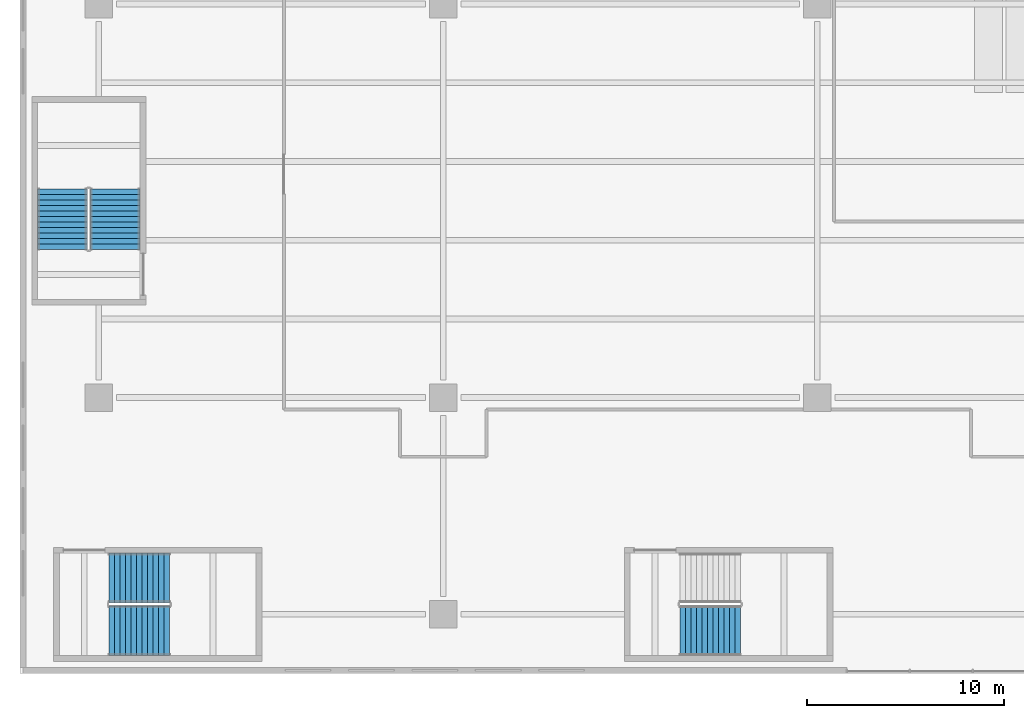
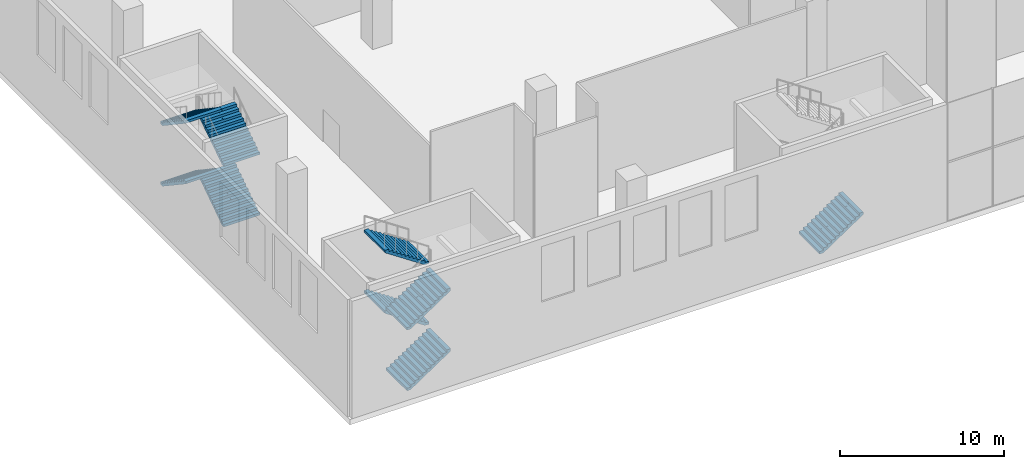
# One storey, part 13 of 27: 9 stair flights, 3 elements without a shape of their own.
"""IFC4 building model written with IfcOpenShell, lengths in metres."""

import ifcopenshell
import ifcopenshell.guid

model = None  # the IFC model being written
_history = None  # IfcOwnerHistory: only IFC2X3 demands one
_inside = {}  # id of a spatial element -> (the spatial element, [elements in it])
_under = {}  # id of a project, library or spatial element -> (it, [spatial elements below it])
_declared = {}  # id of a project -> (the project, [libraries it declares])
_typed = {}  # id of a type object -> (the type object, [elements of that type])
_made_of = {}  # id of a material, layer set ... -> (it, [elements and type objects made of it])


def new_model(schema):
    """Start an empty IFC model of exactly this schema.

    Asked for "IFC4X3", IfcOpenShell would pick the latest addendum, in which some entities
    have other attributes; the version numbers below select the first issue.
    IFC2X3 requires an IfcOwnerHistory on every rooted entity: one is made here for all.
    """
    global model, _history
    if schema == "IFC4X3":
        model = ifcopenshell.file(schema_version=(4, 3, 0, 0))
    else:
        model = ifcopenshell.file(schema=schema)
    _inside.clear()
    _under.clear()
    _declared.clear()
    _typed.clear()
    _made_of.clear()
    _history = None
    if model.schema == "IFC2X3":
        org = make("IfcOrganization", Name="unknown")
        user = make(
            "IfcPersonAndOrganization",
            ThePerson=make("IfcPerson", FamilyName="unknown"),
            TheOrganization=org,
        )
        app = make(
            "IfcApplication",
            ApplicationDeveloper=org,
            Version="unknown",
            ApplicationFullName="unknown",
            ApplicationIdentifier="unknown",
        )
        _history = make(
            "IfcOwnerHistory",
            OwningUser=user,
            OwningApplication=app,
            ChangeAction="ADDED",
            CreationDate=0,
        )
    return model


def make(cls, **values):
    """One entity of the class cls with the attributes given. An attribute that is None is left unset."""
    return model.create_entity(
        cls, **{name: value for name, value in values.items() if value is not None}
    )


def rooted(cls, **values):
    """An entity with a GlobalId (a new one), such as an element, a storey or a relation."""
    return make(cls, GlobalId=ifcopenshell.guid.new(), OwnerHistory=_history, **values)


def si_unit(unit_type, name, prefix=None):
    """IfcSIUnit, for example si_unit("LENGTHUNIT", "METRE", prefix="MILLI")."""
    return make("IfcSIUnit", UnitType=unit_type, Prefix=prefix, Name=name)


def assignment(units):
    """IfcUnitAssignment: the units of a project."""
    return None if units is None else make("IfcUnitAssignment", Units=units)


def point(xyz):
    """IfcCartesianPoint."""
    return None if xyz is None else make("IfcCartesianPoint", Coordinates=xyz)


def direction(xyz):
    """IfcDirection."""
    return None if xyz is None else make("IfcDirection", DirectionRatios=xyz)


def frame(location, z_axis=None, x_axis=None):
    """IfcAxis2Placement3D, a coordinate frame: its origin and axes. An axis left out is left unset."""
    return make(
        "IfcAxis2Placement3D",
        Location=point(location),
        Axis=direction(z_axis),
        RefDirection=direction(x_axis),
    )


def origin():
    """The frame at (0, 0, 0) with its axes left unset."""
    return frame((0.0, 0.0, 0.0))


def place(relative_to, where):
    """IfcLocalPlacement: puts the frame where relative to a parent placement (None: the world)."""
    return make(
        "IfcLocalPlacement", PlacementRelTo=relative_to, RelativePlacement=where
    )


def context(
    kind, dimensions, precision=None, world=None, true_north=None, identifier=None
):
    """IfcGeometricRepresentationContext, for example the 3D "Model" context."""
    return make(
        "IfcGeometricRepresentationContext",
        ContextIdentifier=identifier,
        ContextType=kind,
        CoordinateSpaceDimension=dimensions,
        Precision=precision,
        WorldCoordinateSystem=world,
        TrueNorth=true_north,
    )


def subcontext(parent, identifier, kind, view, scale=None):
    """IfcGeometricRepresentationSubContext, for example "Body" below "Model"."""
    return make(
        "IfcGeometricRepresentationSubContext",
        ContextIdentifier=identifier,
        ContextType=kind,
        ParentContext=parent,
        TargetScale=scale,
        TargetView=view,
    )


def project(units=None, contexts=None):
    """IfcProject with its units and contexts."""
    return rooted(
        "IfcProject",
        Name="project",
        RepresentationContexts=contexts,
        UnitsInContext=assignment(units),
    )


def spatial(cls, under=None, at=None, **own):
    """A site, building, storey or space (cls), placed at a placement, below another one or the project."""
    s = rooted(cls, ObjectPlacement=at, **own)
    if under is not None:
        _under.setdefault(under.id(), (under, []))[1].append(s)
    return s


def polyline(points):
    """IfcPolyline through the points."""
    return make("IfcPolyline", Points=[point(p) for p in points])


def outline(outer, holes=None, kind="AREA"):
    """IfcArbitraryClosedProfileDef: a profile drawn as a closed curve; with holes, ...WithVoids."""
    if holes is None:
        return make("IfcArbitraryClosedProfileDef", ProfileType=kind, OuterCurve=outer)
    return make(
        "IfcArbitraryProfileDefWithVoids",
        ProfileType=kind,
        OuterCurve=outer,
        InnerCurves=holes,
    )


def extrude(swept, where, along, depth):
    """IfcExtrudedAreaSolid: the profile swept, set in the frame where, extruded along a direction by depth."""
    return make(
        "IfcExtrudedAreaSolid",
        SweptArea=swept,
        Position=where,
        ExtrudedDirection=direction(along),
        Depth=depth,
    )


def shape(context_of_items, identifier, shape_type, items):
    """IfcShapeRepresentation: the items that make up one representation, for example the "Body"."""
    return make(
        "IfcShapeRepresentation",
        ContextOfItems=context_of_items,
        RepresentationIdentifier=identifier,
        RepresentationType=shape_type,
        Items=items,
    )


def material(Name=None, Category=None):
    """IfcMaterial."""
    return make("IfcMaterial", Name=Name, Category=Category)


def made_of(thing, what):
    """Note that an element or type object is made of a material, layer set ...; save() writes the relation."""
    if what is not None:
        _made_of.setdefault(what.id(), (what, []))[1].append(thing)
    return thing


def type_object(cls, material=None, **own):
    """A type object (cls), such as IfcWallType, which elements share."""
    return made_of(rooted(cls, **own), material)


def element(
    cls,
    number,
    at=None,
    inside=None,
    cuts=None,
    type_object=None,
    material=None,
    context=None,
    identifier="Body",
    shape_type=None,
    held_by="IfcProductDefinitionShape",
    body=None,
    shapes=None,
    **own,
):
    """One element of the class cls, such as IfcWall. Its Tag is "e" and its number.

    at: its placement. inside: the storey or other place that contains it. cuts: it is an
    opening in that element (IfcRelVoidsElement). A single representation is given by context,
    identifier, shape_type and body (its items); several are given by shapes. held_by: the class
    of the entity that holds the representations. save() writes the other relations.
    """
    e = rooted(cls, Tag="e%d" % number, ObjectPlacement=at, **own)
    if body is not None:
        shapes = [shape(context, identifier, shape_type, body)]
    if shapes is not None:
        e.Representation = make(held_by, Representations=shapes)
    if inside is not None:
        _inside.setdefault(inside.id(), (inside, []))[1].append(e)
    if cuts is not None:
        rooted(
            "IfcRelVoidsElement", RelatingBuildingElement=cuts, RelatedOpeningElement=e
        )
    if type_object is not None:
        _typed.setdefault(type_object.id(), (type_object, []))[1].append(e)
    return made_of(e, material)


def aggregate(whole, parts):
    """IfcRelAggregates: a whole, such as a stair, and the parts it consists of."""
    return rooted("IfcRelAggregates", RelatingObject=whole, RelatedObjects=parts)


def save(model, path):
    """Write the relations noted so far, then the file.

    IfcRelAggregates (storeys below a building ...), IfcRelContainedInSpatialStructure (elements
    in a storey), IfcRelDefinesByType, IfcRelAssociatesMaterial and IfcRelDeclares: one each for
    every whole, place, type object, material and project.
    """
    for whole, parts in _under.values():
        aggregate(whole, parts)
    for where, things in _inside.values():
        rooted(
            "IfcRelContainedInSpatialStructure",
            RelatedElements=things,
            RelatingStructure=where,
        )
    for kind, things in _typed.values():
        rooted("IfcRelDefinesByType", RelatedObjects=things, RelatingType=kind)
    for what, things in _made_of.values():
        rooted("IfcRelAssociatesMaterial", RelatedObjects=things, RelatingMaterial=what)
    for by, libraries in _declared.values():
        rooted("IfcRelDeclares", RelatingContext=by, RelatedDefinitions=libraries)
    model.write(path)


model = new_model("IFC4")

# Units and contexts
model_context = context("Model", 3, precision=1e-05, world=origin(), true_north=direction((0.0, 1.0)))
body_context = subcontext(model_context, "Body", "Model", "MODEL_VIEW")
ifc_project = project(units=[si_unit("LENGTHUNIT", "METRE"), si_unit("AREAUNIT", "SQUARE_METRE"), si_unit("VOLUMEUNIT", "CUBIC_METRE"), si_unit("PLANEANGLEUNIT", "RADIAN"), si_unit("MASSUNIT", "GRAM", prefix="KILO")], contexts=[model_context])

# Site, building, storey
site_placement = place(None, origin())
site = spatial("IfcSite", under=ifc_project, at=site_placement, CompositionType="ELEMENT")
building_placement = place(site_placement, origin())
building = spatial("IfcBuilding", under=site, at=building_placement, Name="Tel Ilan Convention Tower", CompositionType="ELEMENT")
storey_placement = place(building_placement, frame((0.0, 0.0, 9.0)))
storey = spatial("IfcBuildingStorey", under=building, at=storey_placement, Name="L01", CompositionType="ELEMENT", Elevation=9.0)

# Stair, stair flights
ifc_material_1 = material(Name="Concrete C40/50", Category="concrete")
stair_type = type_object("IfcStairType", Name="Pressurised Exit Stair 48 risers 188 mm", PredefinedType="HALF_TURN_STAIR", material=ifc_material_1)
stair_1_placement = place(storey_placement, origin())
stair_1 = element("IfcStair", 1, at=stair_1_placement, inside=storey, type_object=stair_type, Name="L01 Podium Exit Stair P1", PredefinedType="HALF_TURN_STAIR")
ifc_material_2 = material(Name="Precast Concrete C40/50", Category="concrete")
stair_flight_type = type_object("IfcStairFlightType", Name="Concrete Stair Flight 2525 mm 48 risers 188 mm", PredefinedType="STRAIGHT", material=ifc_material_2)
stair_flight_1_placement = place(storey_placement, frame((-45.47509765625, -79.83740234375, 0.0), z_axis=(0.0, 0.0, 1.0), x_axis=(1.0, 0.0, 0.0)))
stair_flight_1 = element("IfcStairFlight", 2, at=stair_flight_1_placement, type_object=stair_flight_type, Name="P1 flight 1", NumberOfRisers=12, NumberOfTreads=11, PredefinedType="STRAIGHT", RiserHeight=0.1875, TreadLength=0.28, context=body_context, shape_type="SweptSolid", body=[
    extrude(outline(polyline([(0.0, 0.0), (0.0, 0.1875), (0.280029296875, 0.1875), (0.280029296875, 0.375), (0.56005859375, 0.375), (0.56005859375, 0.5625), (0.840087890625, 0.5625), (0.840087890625, 0.75), (1.1201171875, 0.75), (1.1201171875, 0.9375), (1.39990234375, 0.9375), (1.39990234375, 1.125), (1.679931640625, 1.125), (1.679931640625, 1.3125), (1.9599609375, 1.3125), (1.9599609375, 1.5), (2.239990234375, 1.5), (2.239990234375, 1.6875), (2.52001953125, 1.6875), (2.52001953125, 1.875), (2.800048828125, 1.875), (2.800048828125, 2.0625), (3.080078125, 2.0625), (3.080078125, 2.25), (3.080078125, 1.882080078125), (0.26953125, 0.0), (0.0, 0.0)])), frame((0.0, -0.100341796875, 0.0), z_axis=(0.0, -1.0, 0.0), x_axis=(1.0, 0.0, 0.0)), (0.0, 0.0, 1.0), 1.162109375),
    extrude(outline(polyline([(0.0, 0.0), (0.0, 0.1875), (0.280029296875, 0.1875), (0.280029296875, 0.375), (0.56005859375, 0.375), (0.56005859375, 0.5625), (0.840087890625, 0.5625), (0.840087890625, 0.75), (1.1201171875, 0.75), (1.1201171875, 0.9375), (1.39990234375, 0.9375), (1.39990234375, 1.125), (1.679931640625, 1.125), (1.679931640625, 1.3125), (1.9599609375, 1.3125), (1.9599609375, 1.5), (2.239990234375, 1.5), (2.239990234375, 1.6875), (2.52001953125, 1.6875), (2.52001953125, 1.875), (2.800048828125, 1.875), (2.800048828125, 2.0625), (3.080078125, 2.0625), (3.080078125, 2.25), (3.080078125, 1.882080078125), (0.26953125, 0.0), (0.0, 0.0)])), frame((0.0, -0.000244140625, 0.0), z_axis=(0.0, -1.0, 0.0), x_axis=(1.0, 0.0, 0.0)), (0.0, 0.0, 1.0), 0.099609375),
    extrude(outline(polyline([(0.0, 0.0), (0.0, 0.1875), (0.280029296875, 0.1875), (0.280029296875, 0.375), (0.56005859375, 0.375), (0.56005859375, 0.5625), (0.840087890625, 0.5625), (0.840087890625, 0.75), (1.1201171875, 0.75), (1.1201171875, 0.9375), (1.39990234375, 0.9375), (1.39990234375, 1.125), (1.679931640625, 1.125), (1.679931640625, 1.3125), (1.9599609375, 1.3125), (1.9599609375, 1.5), (2.239990234375, 1.5), (2.239990234375, 1.6875), (2.52001953125, 1.6875), (2.52001953125, 1.875), (2.800048828125, 1.875), (2.800048828125, 2.0625), (3.080078125, 2.0625), (3.080078125, 2.25), (3.080078125, 1.882080078125), (0.26953125, 0.0), (0.0, 0.0)])), frame((0.0, 0.099853515625, 0.0), z_axis=(0.0, -1.0, 0.0), x_axis=(1.0, 0.0, 0.0)), (0.0, 0.0, 1.0), 0.099609375),
    extrude(outline(polyline([(0.0, 0.0), (0.0, 0.1875), (0.280029296875, 0.1875), (0.280029296875, 0.375), (0.56005859375, 0.375), (0.56005859375, 0.5625), (0.840087890625, 0.5625), (0.840087890625, 0.75), (1.1201171875, 0.75), (1.1201171875, 0.9375), (1.39990234375, 0.9375), (1.39990234375, 1.125), (1.679931640625, 1.125), (1.679931640625, 1.3125), (1.9599609375, 1.3125), (1.9599609375, 1.5), (2.239990234375, 1.5), (2.239990234375, 1.6875), (2.52001953125, 1.6875), (2.52001953125, 1.875), (2.800048828125, 1.875), (2.800048828125, 2.0625), (3.080078125, 2.0625), (3.080078125, 2.25), (3.080078125, 1.882080078125), (0.26953125, 0.0), (0.0, 0.0)])), frame((0.0, 1.262451171875, 0.0), z_axis=(0.0, -1.0, 0.0), x_axis=(1.0, 0.0, 0.0)), (0.0, 0.0, 1.0), 1.162109375),
])
stair_flight_2_placement = place(storey_placement, frame((-42.39501953125, -77.16259765625, 2.25), z_axis=(0.0, 0.0, 1.0), x_axis=(-1.0, 0.0, 0.0)))
stair_flight_2 = element("IfcStairFlight", 3, at=stair_flight_2_placement, type_object=stair_flight_type, Name="P1 flight 2", NumberOfRisers=12, NumberOfTreads=11, PredefinedType="STRAIGHT", RiserHeight=0.1875, TreadLength=0.28, context=body_context, shape_type="SweptSolid", body=[
    extrude(outline(polyline([(0.0, 0.0), (0.0, 0.1875), (0.280029296875, 0.1875), (0.280029296875, 0.375), (0.56005859375, 0.375), (0.56005859375, 0.5625), (0.840087890625, 0.5625), (0.840087890625, 0.75), (1.1201171875, 0.75), (1.1201171875, 0.9375), (1.39990234375, 0.9375), (1.39990234375, 1.125), (1.679931640625, 1.125), (1.679931640625, 1.3125), (1.9599609375, 1.3125), (1.9599609375, 1.5), (2.239990234375, 1.5), (2.239990234375, 1.6875), (2.52001953125, 1.6875), (2.52001953125, 1.875), (2.800048828125, 1.875), (2.800048828125, 2.0625), (3.080078125, 2.0625), (3.080078125, 2.25), (3.080078125, 1.882080078125), (0.26953125, 0.0), (0.0, 0.0)])), frame((0.0, -0.100341796875, 0.0), z_axis=(0.0, -1.0, 0.0), x_axis=(1.0, 0.0, 0.0)), (0.0, 0.0, 1.0), 1.162109375),
    extrude(outline(polyline([(0.0, 0.0), (0.0, 0.1875), (0.280029296875, 0.1875), (0.280029296875, 0.375), (0.56005859375, 0.375), (0.56005859375, 0.5625), (0.840087890625, 0.5625), (0.840087890625, 0.75), (1.1201171875, 0.75), (1.1201171875, 0.9375), (1.39990234375, 0.9375), (1.39990234375, 1.125), (1.679931640625, 1.125), (1.679931640625, 1.3125), (1.9599609375, 1.3125), (1.9599609375, 1.5), (2.239990234375, 1.5), (2.239990234375, 1.6875), (2.52001953125, 1.6875), (2.52001953125, 1.875), (2.800048828125, 1.875), (2.800048828125, 2.0625), (3.080078125, 2.0625), (3.080078125, 2.25), (3.080078125, 1.882080078125), (0.26953125, 0.0), (0.0, 0.0)])), frame((0.0, -0.000244140625, 0.0), z_axis=(0.0, -1.0, 0.0), x_axis=(1.0, 0.0, 0.0)), (0.0, 0.0, 1.0), 0.099609375),
    extrude(outline(polyline([(0.0, 0.0), (0.0, 0.1875), (0.280029296875, 0.1875), (0.280029296875, 0.375), (0.56005859375, 0.375), (0.56005859375, 0.5625), (0.840087890625, 0.5625), (0.840087890625, 0.75), (1.1201171875, 0.75), (1.1201171875, 0.9375), (1.39990234375, 0.9375), (1.39990234375, 1.125), (1.679931640625, 1.125), (1.679931640625, 1.3125), (1.9599609375, 1.3125), (1.9599609375, 1.5), (2.239990234375, 1.5), (2.239990234375, 1.6875), (2.52001953125, 1.6875), (2.52001953125, 1.875), (2.800048828125, 1.875), (2.800048828125, 2.0625), (3.080078125, 2.0625), (3.080078125, 2.25), (3.080078125, 1.882080078125), (0.26953125, 0.0), (0.0, 0.0)])), frame((0.0, 0.099853515625, 0.0), z_axis=(0.0, -1.0, 0.0), x_axis=(1.0, 0.0, 0.0)), (0.0, 0.0, 1.0), 0.099609375),
    extrude(outline(polyline([(0.0, 0.0), (0.0, 0.1875), (0.280029296875, 0.1875), (0.280029296875, 0.375), (0.56005859375, 0.375), (0.56005859375, 0.5625), (0.840087890625, 0.5625), (0.840087890625, 0.75), (1.1201171875, 0.75), (1.1201171875, 0.9375), (1.39990234375, 0.9375), (1.39990234375, 1.125), (1.679931640625, 1.125), (1.679931640625, 1.3125), (1.9599609375, 1.3125), (1.9599609375, 1.5), (2.239990234375, 1.5), (2.239990234375, 1.6875), (2.52001953125, 1.6875), (2.52001953125, 1.875), (2.800048828125, 1.875), (2.800048828125, 2.0625), (3.080078125, 2.0625), (3.080078125, 2.25), (3.080078125, 1.882080078125), (0.26953125, 0.0), (0.0, 0.0)])), frame((0.0, 1.262451171875, 0.0), z_axis=(0.0, -1.0, 0.0), x_axis=(1.0, 0.0, 0.0)), (0.0, 0.0, 1.0), 1.162109375),
])
stair_flight_3_placement = place(storey_placement, frame((-45.47509765625, -79.83740234375, 4.5), z_axis=(0.0, 0.0, 1.0), x_axis=(1.0, 0.0, 0.0)))
stair_flight_3 = element("IfcStairFlight", 4, at=stair_flight_3_placement, type_object=stair_flight_type, Name="P1 flight 3", NumberOfRisers=12, NumberOfTreads=11, PredefinedType="STRAIGHT", RiserHeight=0.1875, TreadLength=0.28, context=body_context, shape_type="SweptSolid", body=[
    extrude(outline(polyline([(0.0, 0.0), (0.0, 0.1875), (0.280029296875, 0.1875), (0.280029296875, 0.375), (0.56005859375, 0.375), (0.56005859375, 0.5625), (0.840087890625, 0.5625), (0.840087890625, 0.75), (1.1201171875, 0.75), (1.1201171875, 0.9375), (1.39990234375, 0.9375), (1.39990234375, 1.125), (1.679931640625, 1.125), (1.679931640625, 1.3125), (1.9599609375, 1.3125), (1.9599609375, 1.5), (2.239990234375, 1.5), (2.239990234375, 1.6875), (2.52001953125, 1.6875), (2.52001953125, 1.875), (2.800048828125, 1.875), (2.800048828125, 2.0625), (3.080078125, 2.0625), (3.080078125, 2.25), (3.080078125, 1.882080078125), (0.26953125, 0.0), (0.0, 0.0)])), frame((0.0, -0.100341796875, 0.0), z_axis=(0.0, -1.0, 0.0), x_axis=(1.0, 0.0, 0.0)), (0.0, 0.0, 1.0), 1.162109375),
    extrude(outline(polyline([(0.0, 0.0), (0.0, 0.1875), (0.280029296875, 0.1875), (0.280029296875, 0.375), (0.56005859375, 0.375), (0.56005859375, 0.5625), (0.840087890625, 0.5625), (0.840087890625, 0.75), (1.1201171875, 0.75), (1.1201171875, 0.9375), (1.39990234375, 0.9375), (1.39990234375, 1.125), (1.679931640625, 1.125), (1.679931640625, 1.3125), (1.9599609375, 1.3125), (1.9599609375, 1.5), (2.239990234375, 1.5), (2.239990234375, 1.6875), (2.52001953125, 1.6875), (2.52001953125, 1.875), (2.800048828125, 1.875), (2.800048828125, 2.0625), (3.080078125, 2.0625), (3.080078125, 2.25), (3.080078125, 1.882080078125), (0.26953125, 0.0), (0.0, 0.0)])), frame((0.0, -0.000244140625, 0.0), z_axis=(0.0, -1.0, 0.0), x_axis=(1.0, 0.0, 0.0)), (0.0, 0.0, 1.0), 0.099609375),
    extrude(outline(polyline([(0.0, 0.0), (0.0, 0.1875), (0.280029296875, 0.1875), (0.280029296875, 0.375), (0.56005859375, 0.375), (0.56005859375, 0.5625), (0.840087890625, 0.5625), (0.840087890625, 0.75), (1.1201171875, 0.75), (1.1201171875, 0.9375), (1.39990234375, 0.9375), (1.39990234375, 1.125), (1.679931640625, 1.125), (1.679931640625, 1.3125), (1.9599609375, 1.3125), (1.9599609375, 1.5), (2.239990234375, 1.5), (2.239990234375, 1.6875), (2.52001953125, 1.6875), (2.52001953125, 1.875), (2.800048828125, 1.875), (2.800048828125, 2.0625), (3.080078125, 2.0625), (3.080078125, 2.25), (3.080078125, 1.882080078125), (0.26953125, 0.0), (0.0, 0.0)])), frame((0.0, 0.099853515625, 0.0), z_axis=(0.0, -1.0, 0.0), x_axis=(1.0, 0.0, 0.0)), (0.0, 0.0, 1.0), 0.099609375),
    extrude(outline(polyline([(0.0, 0.0), (0.0, 0.1875), (0.280029296875, 0.1875), (0.280029296875, 0.375), (0.56005859375, 0.375), (0.56005859375, 0.5625), (0.840087890625, 0.5625), (0.840087890625, 0.75), (1.1201171875, 0.75), (1.1201171875, 0.9375), (1.39990234375, 0.9375), (1.39990234375, 1.125), (1.679931640625, 1.125), (1.679931640625, 1.3125), (1.9599609375, 1.3125), (1.9599609375, 1.5), (2.239990234375, 1.5), (2.239990234375, 1.6875), (2.52001953125, 1.6875), (2.52001953125, 1.875), (2.800048828125, 1.875), (2.800048828125, 2.0625), (3.080078125, 2.0625), (3.080078125, 2.25), (3.080078125, 1.882080078125), (0.26953125, 0.0), (0.0, 0.0)])), frame((0.0, 1.262451171875, 0.0), z_axis=(0.0, -1.0, 0.0), x_axis=(1.0, 0.0, 0.0)), (0.0, 0.0, 1.0), 1.162109375),
])
stair_flight_4_placement = place(storey_placement, frame((-42.39501953125, -77.16259765625, 6.75), z_axis=(0.0, 0.0, 1.0), x_axis=(-1.0, 0.0, 0.0)))
stair_flight_4 = element("IfcStairFlight", 5, at=stair_flight_4_placement, type_object=stair_flight_type, Name="P1 flight 4", NumberOfRisers=12, NumberOfTreads=11, PredefinedType="STRAIGHT", RiserHeight=0.1875, TreadLength=0.28, context=body_context, shape_type="SweptSolid", body=[
    extrude(outline(polyline([(0.0, 0.0), (0.0, 0.1875), (0.280029296875, 0.1875), (0.280029296875, 0.375), (0.56005859375, 0.375), (0.56005859375, 0.5625), (0.840087890625, 0.5625), (0.840087890625, 0.75), (1.1201171875, 0.75), (1.1201171875, 0.9375), (1.39990234375, 0.9375), (1.39990234375, 1.125), (1.679931640625, 1.125), (1.679931640625, 1.3125), (1.9599609375, 1.3125), (1.9599609375, 1.5), (2.239990234375, 1.5), (2.239990234375, 1.6875), (2.52001953125, 1.6875), (2.52001953125, 1.875), (2.800048828125, 1.875), (2.800048828125, 2.0625), (3.080078125, 2.0625), (3.080078125, 2.25), (3.080078125, 1.882080078125), (0.26953125, 0.0), (0.0, 0.0)])), frame((0.0, -0.100341796875, 0.0), z_axis=(0.0, -1.0, 0.0), x_axis=(1.0, 0.0, 0.0)), (0.0, 0.0, 1.0), 1.162109375),
    extrude(outline(polyline([(0.0, 0.0), (0.0, 0.1875), (0.280029296875, 0.1875), (0.280029296875, 0.375), (0.56005859375, 0.375), (0.56005859375, 0.5625), (0.840087890625, 0.5625), (0.840087890625, 0.75), (1.1201171875, 0.75), (1.1201171875, 0.9375), (1.39990234375, 0.9375), (1.39990234375, 1.125), (1.679931640625, 1.125), (1.679931640625, 1.3125), (1.9599609375, 1.3125), (1.9599609375, 1.5), (2.239990234375, 1.5), (2.239990234375, 1.6875), (2.52001953125, 1.6875), (2.52001953125, 1.875), (2.800048828125, 1.875), (2.800048828125, 2.0625), (3.080078125, 2.0625), (3.080078125, 2.25), (3.080078125, 1.882080078125), (0.26953125, 0.0), (0.0, 0.0)])), frame((0.0, -0.000244140625, 0.0), z_axis=(0.0, -1.0, 0.0), x_axis=(1.0, 0.0, 0.0)), (0.0, 0.0, 1.0), 0.099609375),
    extrude(outline(polyline([(0.0, 0.0), (0.0, 0.1875), (0.280029296875, 0.1875), (0.280029296875, 0.375), (0.56005859375, 0.375), (0.56005859375, 0.5625), (0.840087890625, 0.5625), (0.840087890625, 0.75), (1.1201171875, 0.75), (1.1201171875, 0.9375), (1.39990234375, 0.9375), (1.39990234375, 1.125), (1.679931640625, 1.125), (1.679931640625, 1.3125), (1.9599609375, 1.3125), (1.9599609375, 1.5), (2.239990234375, 1.5), (2.239990234375, 1.6875), (2.52001953125, 1.6875), (2.52001953125, 1.875), (2.800048828125, 1.875), (2.800048828125, 2.0625), (3.080078125, 2.0625), (3.080078125, 2.25), (3.080078125, 1.882080078125), (0.26953125, 0.0), (0.0, 0.0)])), frame((0.0, 0.099853515625, 0.0), z_axis=(0.0, -1.0, 0.0), x_axis=(1.0, 0.0, 0.0)), (0.0, 0.0, 1.0), 0.099609375),
    extrude(outline(polyline([(0.0, 0.0), (0.0, 0.1875), (0.280029296875, 0.1875), (0.280029296875, 0.375), (0.56005859375, 0.375), (0.56005859375, 0.5625), (0.840087890625, 0.5625), (0.840087890625, 0.75), (1.1201171875, 0.75), (1.1201171875, 0.9375), (1.39990234375, 0.9375), (1.39990234375, 1.125), (1.679931640625, 1.125), (1.679931640625, 1.3125), (1.9599609375, 1.3125), (1.9599609375, 1.5), (2.239990234375, 1.5), (2.239990234375, 1.6875), (2.52001953125, 1.6875), (2.52001953125, 1.875), (2.800048828125, 1.875), (2.800048828125, 2.0625), (3.080078125, 2.0625), (3.080078125, 2.25), (3.080078125, 1.882080078125), (0.26953125, 0.0), (0.0, 0.0)])), frame((0.0, 1.262451171875, 0.0), z_axis=(0.0, -1.0, 0.0), x_axis=(1.0, 0.0, 0.0)), (0.0, 0.0, 1.0), 1.162109375),
])
aggregate(stair_1, [stair_flight_1, stair_flight_2, stair_flight_3, stair_flight_4])

# Stair, stair flight
stair_2_placement = place(storey_placement, origin())
stair_2 = element("IfcStair", 6, at=stair_2_placement, inside=storey, type_object=stair_type, Name="L01 Podium Exit Stair P2", PredefinedType="HALF_TURN_STAIR")
stair_flight_5_placement = place(storey_placement, frame((-16.47509765625, -79.83740234375, 0.0), z_axis=(0.0, 0.0, 1.0), x_axis=(1.0, 0.0, 0.0)))
stair_flight_5 = element("IfcStairFlight", 7, at=stair_flight_5_placement, type_object=stair_flight_type, Name="P2 flight 1", NumberOfRisers=12, NumberOfTreads=11, PredefinedType="STRAIGHT", RiserHeight=0.1875, TreadLength=0.28, context=body_context, shape_type="SweptSolid", body=[
    extrude(outline(polyline([(0.0, 0.0), (0.0, 0.1875), (0.280029296875, 0.1875), (0.280029296875, 0.375), (0.56005859375, 0.375), (0.56005859375, 0.5625), (0.840087890625, 0.5625), (0.840087890625, 0.75), (1.1201171875, 0.75), (1.1201171875, 0.9375), (1.39990234375, 0.9375), (1.39990234375, 1.125), (1.679931640625, 1.125), (1.679931640625, 1.3125), (1.9599609375, 1.3125), (1.9599609375, 1.5), (2.239990234375, 1.5), (2.239990234375, 1.6875), (2.52001953125, 1.6875), (2.52001953125, 1.875), (2.800048828125, 1.875), (2.800048828125, 2.0625), (3.080078125, 2.0625), (3.080078125, 2.25), (3.080078125, 1.882080078125), (0.26953125, 0.0), (0.0, 0.0)])), frame((0.0, -0.100341796875, 0.0), z_axis=(0.0, -1.0, 0.0), x_axis=(1.0, 0.0, 0.0)), (0.0, 0.0, 1.0), 1.162109375),
    extrude(outline(polyline([(0.0, 0.0), (0.0, 0.1875), (0.280029296875, 0.1875), (0.280029296875, 0.375), (0.56005859375, 0.375), (0.56005859375, 0.5625), (0.840087890625, 0.5625), (0.840087890625, 0.75), (1.1201171875, 0.75), (1.1201171875, 0.9375), (1.39990234375, 0.9375), (1.39990234375, 1.125), (1.679931640625, 1.125), (1.679931640625, 1.3125), (1.9599609375, 1.3125), (1.9599609375, 1.5), (2.239990234375, 1.5), (2.239990234375, 1.6875), (2.52001953125, 1.6875), (2.52001953125, 1.875), (2.800048828125, 1.875), (2.800048828125, 2.0625), (3.080078125, 2.0625), (3.080078125, 2.25), (3.080078125, 1.882080078125), (0.26953125, 0.0), (0.0, 0.0)])), frame((0.0, -0.000244140625, 0.0), z_axis=(0.0, -1.0, 0.0), x_axis=(1.0, 0.0, 0.0)), (0.0, 0.0, 1.0), 0.099609375),
    extrude(outline(polyline([(0.0, 0.0), (0.0, 0.1875), (0.280029296875, 0.1875), (0.280029296875, 0.375), (0.56005859375, 0.375), (0.56005859375, 0.5625), (0.840087890625, 0.5625), (0.840087890625, 0.75), (1.1201171875, 0.75), (1.1201171875, 0.9375), (1.39990234375, 0.9375), (1.39990234375, 1.125), (1.679931640625, 1.125), (1.679931640625, 1.3125), (1.9599609375, 1.3125), (1.9599609375, 1.5), (2.239990234375, 1.5), (2.239990234375, 1.6875), (2.52001953125, 1.6875), (2.52001953125, 1.875), (2.800048828125, 1.875), (2.800048828125, 2.0625), (3.080078125, 2.0625), (3.080078125, 2.25), (3.080078125, 1.882080078125), (0.26953125, 0.0), (0.0, 0.0)])), frame((0.0, 0.099853515625, 0.0), z_axis=(0.0, -1.0, 0.0), x_axis=(1.0, 0.0, 0.0)), (0.0, 0.0, 1.0), 0.099609375),
    extrude(outline(polyline([(0.0, 0.0), (0.0, 0.1875), (0.280029296875, 0.1875), (0.280029296875, 0.375), (0.56005859375, 0.375), (0.56005859375, 0.5625), (0.840087890625, 0.5625), (0.840087890625, 0.75), (1.1201171875, 0.75), (1.1201171875, 0.9375), (1.39990234375, 0.9375), (1.39990234375, 1.125), (1.679931640625, 1.125), (1.679931640625, 1.3125), (1.9599609375, 1.3125), (1.9599609375, 1.5), (2.239990234375, 1.5), (2.239990234375, 1.6875), (2.52001953125, 1.6875), (2.52001953125, 1.875), (2.800048828125, 1.875), (2.800048828125, 2.0625), (3.080078125, 2.0625), (3.080078125, 2.25), (3.080078125, 1.882080078125), (0.26953125, 0.0), (0.0, 0.0)])), frame((0.0, 1.262451171875, 0.0), z_axis=(0.0, -1.0, 0.0), x_axis=(1.0, 0.0, 0.0)), (0.0, 0.0, 1.0), 1.162109375),
])
aggregate(stair_2, [stair_flight_5])

# Stair, stair flights
stair_3_placement = place(storey_placement, origin())
stair_3 = element("IfcStair", 8, at=stair_3_placement, inside=storey, type_object=stair_type, Name="L01 Podium Exit Stair P5", PredefinedType="HALF_TURN_STAIR")
stair_flight_6_placement = place(storey_placement, frame((-45.16259765625, -60.47509765625, 0.0), z_axis=(0.0, 0.0, 1.0), x_axis=(0.0, 1.0, 0.0)))
stair_flight_6 = element("IfcStairFlight", 9, at=stair_flight_6_placement, type_object=stair_flight_type, Name="P5 flight 1", NumberOfRisers=12, NumberOfTreads=11, PredefinedType="STRAIGHT", RiserHeight=0.1875, TreadLength=0.28, context=body_context, shape_type="SweptSolid", body=[
    extrude(outline(polyline([(0.0, 0.0), (0.0, 0.1875), (0.280029296875, 0.1875), (0.280029296875, 0.375), (0.56005859375, 0.375), (0.56005859375, 0.5625), (0.840087890625, 0.5625), (0.840087890625, 0.75), (1.1201171875, 0.75), (1.1201171875, 0.9375), (1.39990234375, 0.9375), (1.39990234375, 1.125), (1.679931640625, 1.125), (1.679931640625, 1.3125), (1.9599609375, 1.3125), (1.9599609375, 1.5), (2.239990234375, 1.5), (2.239990234375, 1.6875), (2.52001953125, 1.6875), (2.52001953125, 1.875), (2.800048828125, 1.875), (2.800048828125, 2.0625), (3.080078125, 2.0625), (3.080078125, 2.25), (3.080078125, 1.882080078125), (0.26953125, 0.0), (0.0, 0.0)])), frame((0.0, -0.100341796875, 0.0), z_axis=(0.0, -1.0, 0.0), x_axis=(1.0, 0.0, 0.0)), (0.0, 0.0, 1.0), 1.162109375),
    extrude(outline(polyline([(0.0, 0.0), (0.0, 0.1875), (0.280029296875, 0.1875), (0.280029296875, 0.375), (0.56005859375, 0.375), (0.56005859375, 0.5625), (0.840087890625, 0.5625), (0.840087890625, 0.75), (1.1201171875, 0.75), (1.1201171875, 0.9375), (1.39990234375, 0.9375), (1.39990234375, 1.125), (1.679931640625, 1.125), (1.679931640625, 1.3125), (1.9599609375, 1.3125), (1.9599609375, 1.5), (2.239990234375, 1.5), (2.239990234375, 1.6875), (2.52001953125, 1.6875), (2.52001953125, 1.875), (2.800048828125, 1.875), (2.800048828125, 2.0625), (3.080078125, 2.0625), (3.080078125, 2.25), (3.080078125, 1.882080078125), (0.26953125, 0.0), (0.0, 0.0)])), frame((0.0, -0.000244140625, 0.0), z_axis=(0.0, -1.0, 0.0), x_axis=(1.0, 0.0, 0.0)), (0.0, 0.0, 1.0), 0.099609375),
    extrude(outline(polyline([(0.0, 0.0), (0.0, 0.1875), (0.280029296875, 0.1875), (0.280029296875, 0.375), (0.56005859375, 0.375), (0.56005859375, 0.5625), (0.840087890625, 0.5625), (0.840087890625, 0.75), (1.1201171875, 0.75), (1.1201171875, 0.9375), (1.39990234375, 0.9375), (1.39990234375, 1.125), (1.679931640625, 1.125), (1.679931640625, 1.3125), (1.9599609375, 1.3125), (1.9599609375, 1.5), (2.239990234375, 1.5), (2.239990234375, 1.6875), (2.52001953125, 1.6875), (2.52001953125, 1.875), (2.800048828125, 1.875), (2.800048828125, 2.0625), (3.080078125, 2.0625), (3.080078125, 2.25), (3.080078125, 1.882080078125), (0.26953125, 0.0), (0.0, 0.0)])), frame((0.0, 0.099853515625, 0.0), z_axis=(0.0, -1.0, 0.0), x_axis=(1.0, 0.0, 0.0)), (0.0, 0.0, 1.0), 0.099609375),
    extrude(outline(polyline([(0.0, 0.0), (0.0, 0.1875), (0.280029296875, 0.1875), (0.280029296875, 0.375), (0.56005859375, 0.375), (0.56005859375, 0.5625), (0.840087890625, 0.5625), (0.840087890625, 0.75), (1.1201171875, 0.75), (1.1201171875, 0.9375), (1.39990234375, 0.9375), (1.39990234375, 1.125), (1.679931640625, 1.125), (1.679931640625, 1.3125), (1.9599609375, 1.3125), (1.9599609375, 1.5), (2.239990234375, 1.5), (2.239990234375, 1.6875), (2.52001953125, 1.6875), (2.52001953125, 1.875), (2.800048828125, 1.875), (2.800048828125, 2.0625), (3.080078125, 2.0625), (3.080078125, 2.25), (3.080078125, 1.882080078125), (0.26953125, 0.0), (0.0, 0.0)])), frame((0.0, 1.262451171875, 0.0), z_axis=(0.0, -1.0, 0.0), x_axis=(1.0, 0.0, 0.0)), (0.0, 0.0, 1.0), 1.162109375),
])
stair_flight_7_placement = place(storey_placement, frame((-47.83740234375, -57.39501953125, 2.25), z_axis=(0.0, 0.0, 1.0), x_axis=(0.0, -1.0, 0.0)))
stair_flight_7 = element("IfcStairFlight", 10, at=stair_flight_7_placement, type_object=stair_flight_type, Name="P5 flight 2", NumberOfRisers=12, NumberOfTreads=11, PredefinedType="STRAIGHT", RiserHeight=0.1875, TreadLength=0.28, context=body_context, shape_type="SweptSolid", body=[
    extrude(outline(polyline([(0.0, 0.0), (0.0, 0.1875), (0.280029296875, 0.1875), (0.280029296875, 0.375), (0.56005859375, 0.375), (0.56005859375, 0.5625), (0.840087890625, 0.5625), (0.840087890625, 0.75), (1.1201171875, 0.75), (1.1201171875, 0.9375), (1.39990234375, 0.9375), (1.39990234375, 1.125), (1.679931640625, 1.125), (1.679931640625, 1.3125), (1.9599609375, 1.3125), (1.9599609375, 1.5), (2.239990234375, 1.5), (2.239990234375, 1.6875), (2.52001953125, 1.6875), (2.52001953125, 1.875), (2.800048828125, 1.875), (2.800048828125, 2.0625), (3.080078125, 2.0625), (3.080078125, 2.25), (3.080078125, 1.882080078125), (0.26953125, 0.0), (0.0, 0.0)])), frame((0.0, -0.100341796875, 0.0), z_axis=(0.0, -1.0, 0.0), x_axis=(1.0, 0.0, 0.0)), (0.0, 0.0, 1.0), 1.162109375),
    extrude(outline(polyline([(0.0, 0.0), (0.0, 0.1875), (0.280029296875, 0.1875), (0.280029296875, 0.375), (0.56005859375, 0.375), (0.56005859375, 0.5625), (0.840087890625, 0.5625), (0.840087890625, 0.75), (1.1201171875, 0.75), (1.1201171875, 0.9375), (1.39990234375, 0.9375), (1.39990234375, 1.125), (1.679931640625, 1.125), (1.679931640625, 1.3125), (1.9599609375, 1.3125), (1.9599609375, 1.5), (2.239990234375, 1.5), (2.239990234375, 1.6875), (2.52001953125, 1.6875), (2.52001953125, 1.875), (2.800048828125, 1.875), (2.800048828125, 2.0625), (3.080078125, 2.0625), (3.080078125, 2.25), (3.080078125, 1.882080078125), (0.26953125, 0.0), (0.0, 0.0)])), frame((0.0, -0.000244140625, 0.0), z_axis=(0.0, -1.0, 0.0), x_axis=(1.0, 0.0, 0.0)), (0.0, 0.0, 1.0), 0.099609375),
    extrude(outline(polyline([(0.0, 0.0), (0.0, 0.1875), (0.280029296875, 0.1875), (0.280029296875, 0.375), (0.56005859375, 0.375), (0.56005859375, 0.5625), (0.840087890625, 0.5625), (0.840087890625, 0.75), (1.1201171875, 0.75), (1.1201171875, 0.9375), (1.39990234375, 0.9375), (1.39990234375, 1.125), (1.679931640625, 1.125), (1.679931640625, 1.3125), (1.9599609375, 1.3125), (1.9599609375, 1.5), (2.239990234375, 1.5), (2.239990234375, 1.6875), (2.52001953125, 1.6875), (2.52001953125, 1.875), (2.800048828125, 1.875), (2.800048828125, 2.0625), (3.080078125, 2.0625), (3.080078125, 2.25), (3.080078125, 1.882080078125), (0.26953125, 0.0), (0.0, 0.0)])), frame((0.0, 0.099853515625, 0.0), z_axis=(0.0, -1.0, 0.0), x_axis=(1.0, 0.0, 0.0)), (0.0, 0.0, 1.0), 0.099609375),
    extrude(outline(polyline([(0.0, 0.0), (0.0, 0.1875), (0.280029296875, 0.1875), (0.280029296875, 0.375), (0.56005859375, 0.375), (0.56005859375, 0.5625), (0.840087890625, 0.5625), (0.840087890625, 0.75), (1.1201171875, 0.75), (1.1201171875, 0.9375), (1.39990234375, 0.9375), (1.39990234375, 1.125), (1.679931640625, 1.125), (1.679931640625, 1.3125), (1.9599609375, 1.3125), (1.9599609375, 1.5), (2.239990234375, 1.5), (2.239990234375, 1.6875), (2.52001953125, 1.6875), (2.52001953125, 1.875), (2.800048828125, 1.875), (2.800048828125, 2.0625), (3.080078125, 2.0625), (3.080078125, 2.25), (3.080078125, 1.882080078125), (0.26953125, 0.0), (0.0, 0.0)])), frame((0.0, 1.262451171875, 0.0), z_axis=(0.0, -1.0, 0.0), x_axis=(1.0, 0.0, 0.0)), (0.0, 0.0, 1.0), 1.162109375),
])
stair_flight_8_placement = place(storey_placement, frame((-45.16259765625, -60.47509765625, 4.5), z_axis=(0.0, 0.0, 1.0), x_axis=(0.0, 1.0, 0.0)))
stair_flight_8 = element("IfcStairFlight", 11, at=stair_flight_8_placement, type_object=stair_flight_type, Name="P5 flight 3", NumberOfRisers=12, NumberOfTreads=11, PredefinedType="STRAIGHT", RiserHeight=0.1875, TreadLength=0.28, context=body_context, shape_type="SweptSolid", body=[
    extrude(outline(polyline([(0.0, 0.0), (0.0, 0.1875), (0.280029296875, 0.1875), (0.280029296875, 0.375), (0.56005859375, 0.375), (0.56005859375, 0.5625), (0.840087890625, 0.5625), (0.840087890625, 0.75), (1.1201171875, 0.75), (1.1201171875, 0.9375), (1.39990234375, 0.9375), (1.39990234375, 1.125), (1.679931640625, 1.125), (1.679931640625, 1.3125), (1.9599609375, 1.3125), (1.9599609375, 1.5), (2.239990234375, 1.5), (2.239990234375, 1.6875), (2.52001953125, 1.6875), (2.52001953125, 1.875), (2.800048828125, 1.875), (2.800048828125, 2.0625), (3.080078125, 2.0625), (3.080078125, 2.25), (3.080078125, 1.882080078125), (0.26953125, 0.0), (0.0, 0.0)])), frame((0.0, -0.100341796875, 0.0), z_axis=(0.0, -1.0, 0.0), x_axis=(1.0, 0.0, 0.0)), (0.0, 0.0, 1.0), 1.162109375),
    extrude(outline(polyline([(0.0, 0.0), (0.0, 0.1875), (0.280029296875, 0.1875), (0.280029296875, 0.375), (0.56005859375, 0.375), (0.56005859375, 0.5625), (0.840087890625, 0.5625), (0.840087890625, 0.75), (1.1201171875, 0.75), (1.1201171875, 0.9375), (1.39990234375, 0.9375), (1.39990234375, 1.125), (1.679931640625, 1.125), (1.679931640625, 1.3125), (1.9599609375, 1.3125), (1.9599609375, 1.5), (2.239990234375, 1.5), (2.239990234375, 1.6875), (2.52001953125, 1.6875), (2.52001953125, 1.875), (2.800048828125, 1.875), (2.800048828125, 2.0625), (3.080078125, 2.0625), (3.080078125, 2.25), (3.080078125, 1.882080078125), (0.26953125, 0.0), (0.0, 0.0)])), frame((0.0, -0.000244140625, 0.0), z_axis=(0.0, -1.0, 0.0), x_axis=(1.0, 0.0, 0.0)), (0.0, 0.0, 1.0), 0.099609375),
    extrude(outline(polyline([(0.0, 0.0), (0.0, 0.1875), (0.280029296875, 0.1875), (0.280029296875, 0.375), (0.56005859375, 0.375), (0.56005859375, 0.5625), (0.840087890625, 0.5625), (0.840087890625, 0.75), (1.1201171875, 0.75), (1.1201171875, 0.9375), (1.39990234375, 0.9375), (1.39990234375, 1.125), (1.679931640625, 1.125), (1.679931640625, 1.3125), (1.9599609375, 1.3125), (1.9599609375, 1.5), (2.239990234375, 1.5), (2.239990234375, 1.6875), (2.52001953125, 1.6875), (2.52001953125, 1.875), (2.800048828125, 1.875), (2.800048828125, 2.0625), (3.080078125, 2.0625), (3.080078125, 2.25), (3.080078125, 1.882080078125), (0.26953125, 0.0), (0.0, 0.0)])), frame((0.0, 0.099853515625, 0.0), z_axis=(0.0, -1.0, 0.0), x_axis=(1.0, 0.0, 0.0)), (0.0, 0.0, 1.0), 0.099609375),
    extrude(outline(polyline([(0.0, 0.0), (0.0, 0.1875), (0.280029296875, 0.1875), (0.280029296875, 0.375), (0.56005859375, 0.375), (0.56005859375, 0.5625), (0.840087890625, 0.5625), (0.840087890625, 0.75), (1.1201171875, 0.75), (1.1201171875, 0.9375), (1.39990234375, 0.9375), (1.39990234375, 1.125), (1.679931640625, 1.125), (1.679931640625, 1.3125), (1.9599609375, 1.3125), (1.9599609375, 1.5), (2.239990234375, 1.5), (2.239990234375, 1.6875), (2.52001953125, 1.6875), (2.52001953125, 1.875), (2.800048828125, 1.875), (2.800048828125, 2.0625), (3.080078125, 2.0625), (3.080078125, 2.25), (3.080078125, 1.882080078125), (0.26953125, 0.0), (0.0, 0.0)])), frame((0.0, 1.262451171875, 0.0), z_axis=(0.0, -1.0, 0.0), x_axis=(1.0, 0.0, 0.0)), (0.0, 0.0, 1.0), 1.162109375),
])
stair_flight_9_placement = place(storey_placement, frame((-47.83740234375, -57.39501953125, 6.75), z_axis=(0.0, 0.0, 1.0), x_axis=(0.0, -1.0, 0.0)))
stair_flight_9 = element("IfcStairFlight", 12, at=stair_flight_9_placement, type_object=stair_flight_type, Name="P5 flight 4", NumberOfRisers=12, NumberOfTreads=11, PredefinedType="STRAIGHT", RiserHeight=0.1875, TreadLength=0.28, context=body_context, shape_type="SweptSolid", body=[
    extrude(outline(polyline([(0.0, 0.0), (0.0, 0.1875), (0.280029296875, 0.1875), (0.280029296875, 0.375), (0.56005859375, 0.375), (0.56005859375, 0.5625), (0.840087890625, 0.5625), (0.840087890625, 0.75), (1.1201171875, 0.75), (1.1201171875, 0.9375), (1.39990234375, 0.9375), (1.39990234375, 1.125), (1.679931640625, 1.125), (1.679931640625, 1.3125), (1.9599609375, 1.3125), (1.9599609375, 1.5), (2.239990234375, 1.5), (2.239990234375, 1.6875), (2.52001953125, 1.6875), (2.52001953125, 1.875), (2.800048828125, 1.875), (2.800048828125, 2.0625), (3.080078125, 2.0625), (3.080078125, 2.25), (3.080078125, 1.882080078125), (0.26953125, 0.0), (0.0, 0.0)])), frame((0.0, -0.100341796875, 0.0), z_axis=(0.0, -1.0, 0.0), x_axis=(1.0, 0.0, 0.0)), (0.0, 0.0, 1.0), 1.162109375),
    extrude(outline(polyline([(0.0, 0.0), (0.0, 0.1875), (0.280029296875, 0.1875), (0.280029296875, 0.375), (0.56005859375, 0.375), (0.56005859375, 0.5625), (0.840087890625, 0.5625), (0.840087890625, 0.75), (1.1201171875, 0.75), (1.1201171875, 0.9375), (1.39990234375, 0.9375), (1.39990234375, 1.125), (1.679931640625, 1.125), (1.679931640625, 1.3125), (1.9599609375, 1.3125), (1.9599609375, 1.5), (2.239990234375, 1.5), (2.239990234375, 1.6875), (2.52001953125, 1.6875), (2.52001953125, 1.875), (2.800048828125, 1.875), (2.800048828125, 2.0625), (3.080078125, 2.0625), (3.080078125, 2.25), (3.080078125, 1.882080078125), (0.26953125, 0.0), (0.0, 0.0)])), frame((0.0, -0.000244140625, 0.0), z_axis=(0.0, -1.0, 0.0), x_axis=(1.0, 0.0, 0.0)), (0.0, 0.0, 1.0), 0.099609375),
    extrude(outline(polyline([(0.0, 0.0), (0.0, 0.1875), (0.280029296875, 0.1875), (0.280029296875, 0.375), (0.56005859375, 0.375), (0.56005859375, 0.5625), (0.840087890625, 0.5625), (0.840087890625, 0.75), (1.1201171875, 0.75), (1.1201171875, 0.9375), (1.39990234375, 0.9375), (1.39990234375, 1.125), (1.679931640625, 1.125), (1.679931640625, 1.3125), (1.9599609375, 1.3125), (1.9599609375, 1.5), (2.239990234375, 1.5), (2.239990234375, 1.6875), (2.52001953125, 1.6875), (2.52001953125, 1.875), (2.800048828125, 1.875), (2.800048828125, 2.0625), (3.080078125, 2.0625), (3.080078125, 2.25), (3.080078125, 1.882080078125), (0.26953125, 0.0), (0.0, 0.0)])), frame((0.0, 0.099853515625, 0.0), z_axis=(0.0, -1.0, 0.0), x_axis=(1.0, 0.0, 0.0)), (0.0, 0.0, 1.0), 0.099609375),
    extrude(outline(polyline([(0.0, 0.0), (0.0, 0.1875), (0.280029296875, 0.1875), (0.280029296875, 0.375), (0.56005859375, 0.375), (0.56005859375, 0.5625), (0.840087890625, 0.5625), (0.840087890625, 0.75), (1.1201171875, 0.75), (1.1201171875, 0.9375), (1.39990234375, 0.9375), (1.39990234375, 1.125), (1.679931640625, 1.125), (1.679931640625, 1.3125), (1.9599609375, 1.3125), (1.9599609375, 1.5), (2.239990234375, 1.5), (2.239990234375, 1.6875), (2.52001953125, 1.6875), (2.52001953125, 1.875), (2.800048828125, 1.875), (2.800048828125, 2.0625), (3.080078125, 2.0625), (3.080078125, 2.25), (3.080078125, 1.882080078125), (0.26953125, 0.0), (0.0, 0.0)])), frame((0.0, 1.262451171875, 0.0), z_axis=(0.0, -1.0, 0.0), x_axis=(1.0, 0.0, 0.0)), (0.0, 0.0, 1.0), 1.162109375),
])
aggregate(stair_3, [stair_flight_6, stair_flight_7, stair_flight_8, stair_flight_9])

save(model, "model.ifc")
